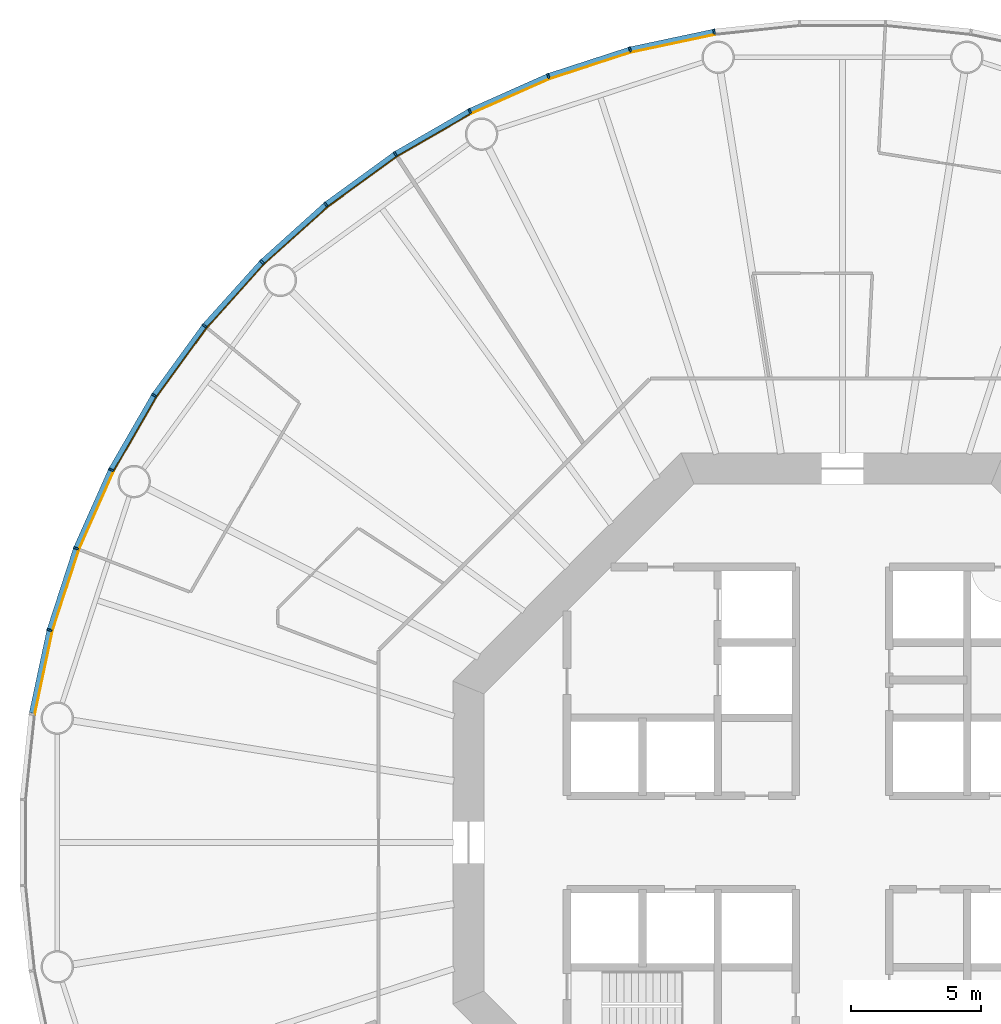
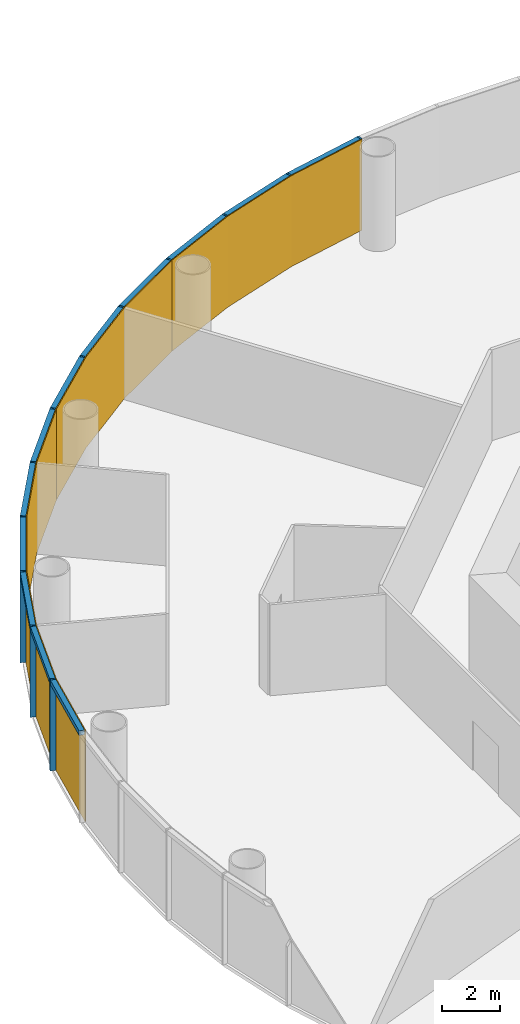
# One storey, part 10 of 13: 24 members, 4 curtain walls.
"""IFC4 building model written with IfcOpenShell, lengths in metres."""

from ifc_helpers import new_model, si_unit, direction, frame, origin, origin_2d, place, context, subcontext, project, spatial, polyline, rectangle, outline, extrude, material, layer, layer_set, material_profile, profile_set, type_object, element, aggregate, save


model = new_model("IFC4")

# Units and contexts
model_context = context("Model", 3, precision=1e-05, world=origin(), true_north=direction((0.0, 1.0)))
body_context = subcontext(model_context, "Body", "Model", "MODEL_VIEW")
ifc_project = project(units=[si_unit("LENGTHUNIT", "METRE"), si_unit("AREAUNIT", "SQUARE_METRE"), si_unit("VOLUMEUNIT", "CUBIC_METRE"), si_unit("PLANEANGLEUNIT", "RADIAN"), si_unit("MASSUNIT", "GRAM", prefix="KILO")], contexts=[model_context])

# Member
ifc_material_1 = material(Name="Anodised aluminium", Category="aluminium")
ifc_material_profile_1 = material_profile(ifc_material_1, rectangle(XDim=0.070068359375, YDim=0.199951171875, at=origin_2d()), Name="Mullion 70 x 200 mm anodised aluminium")
ifc_profile_set_1 = profile_set([ifc_material_profile_1], Name="Anodised aluminium")
member_type_1 = type_object("IfcMemberType", Name="Mullion 70 x 200 mm anodised aluminium", PredefinedType="MULLION", material=ifc_profile_set_1)
site_placement = place(None, origin())
building_placement = place(site_placement, origin())
storey_placement = place(building_placement, frame((0.0, 0.0, 120.0)))
member_1_placement = place(storey_placement, frame((85.056640625, 111.2109375, 0.0), z_axis=(0.0, 0.0, 1.0), x_axis=(-0.987688340595, -0.15643446504, 0.0)))
member_1 = element("IfcMember", 1, at=member_1_placement, type_object=member_type_1, Name="MULLION L27-15", PredefinedType="MULLION", context=body_context, shape_type="SweptSolid", body=[
    extrude(rectangle(XDim=0.070068359375, YDim=0.199951171875, at=origin_2d()), origin(), (0.0, 0.0, 1.0), 3.85009765625),
])

member_2_placement = place(storey_placement, frame((81.8212890625, 110.523193359375, 0.0), z_axis=(0.0, 0.0, 1.0), x_axis=(-0.965925826289, -0.258819045103, 0.0)))
member_2 = element("IfcMember", 2, at=member_2_placement, type_object=member_type_1, Name="MULLION L27-16", PredefinedType="MULLION", context=body_context, shape_type="SweptSolid", body=[
    extrude(rectangle(XDim=0.070068359375, YDim=0.199951171875, at=origin_2d()), origin(), (0.0, 0.0, 1.0), 3.85009765625),
])

member_3_placement = place(storey_placement, frame((78.675537109375, 109.501220703125, 0.0), z_axis=(0.0, 0.0, 1.0), x_axis=(-0.933580426497, -0.358367949545, 0.0)))
member_3 = element("IfcMember", 3, at=member_3_placement, type_object=member_type_1, Name="MULLION L27-17", PredefinedType="MULLION", context=body_context, shape_type="SweptSolid", body=[
    extrude(rectangle(XDim=0.070068359375, YDim=0.199951171875, at=origin_2d()), origin(), (0.0, 0.0, 1.0), 3.85009765625),
])

member_4_placement = place(storey_placement, frame((75.65380859375, 108.15576171875, 0.0), z_axis=(0.0, 0.0, 1.0), x_axis=(-0.891006524188, -0.45399049974, 0.0)))
member_4 = element("IfcMember", 4, at=member_4_placement, type_object=member_type_1, Name="MULLION L27-18", PredefinedType="MULLION", context=body_context, shape_type="SweptSolid", body=[
    extrude(rectangle(XDim=0.070068359375, YDim=0.199951171875, at=origin_2d()), origin(), (0.0, 0.0, 1.0), 3.85009765625),
])

member_5_placement = place(storey_placement, frame((72.789306640625, 106.501953125, 0.0), z_axis=(0.0, 0.0, 1.0), x_axis=(-0.838670567945, -0.544639035015, 0.0)))
member_5 = element("IfcMember", 5, at=member_5_placement, type_object=member_type_1, Name="MULLION L27-19", PredefinedType="MULLION", context=body_context, shape_type="SweptSolid", body=[
    extrude(rectangle(XDim=0.070068359375, YDim=0.199951171875, at=origin_2d()), origin(), (0.0, 0.0, 1.0), 3.85009765625),
])

member_6_placement = place(storey_placement, frame((70.113525390625, 104.557861328125, 0.0), z_axis=(0.0, 0.0, 1.0), x_axis=(-0.777145961457, -0.62932039105, 0.0)))
member_6 = element("IfcMember", 6, at=member_6_placement, type_object=member_type_1, Name="MULLION L27-20", PredefinedType="MULLION", context=body_context, shape_type="SweptSolid", body=[
    extrude(rectangle(XDim=0.070068359375, YDim=0.199951171875, at=origin_2d()), origin(), (0.0, 0.0, 1.0), 3.85009765625),
])

member_7_placement = place(storey_placement, frame((67.655517578125, 102.344482421875, 0.0), z_axis=(0.0, 0.0, 1.0), x_axis=(-0.707106781187, -0.707106781187, 0.0)))
member_7 = element("IfcMember", 7, at=member_7_placement, type_object=member_type_1, Name="MULLION L27-21", PredefinedType="MULLION", context=body_context, shape_type="SweptSolid", body=[
    extrude(rectangle(XDim=0.070068359375, YDim=0.199951171875, at=origin_2d()), origin(), (0.0, 0.0, 1.0), 3.85009765625),
])

member_8_placement = place(storey_placement, frame((65.442138671875, 99.886474609375, 0.0), z_axis=(0.0, 0.0, 1.0), x_axis=(-0.62932039105, -0.777145961457, 0.0)))
member_8 = element("IfcMember", 8, at=member_8_placement, type_object=member_type_1, Name="MULLION L27-22", PredefinedType="MULLION", context=body_context, shape_type="SweptSolid", body=[
    extrude(rectangle(XDim=0.070068359375, YDim=0.199951171875, at=origin_2d()), origin(), (0.0, 0.0, 1.0), 3.85009765625),
])

member_9_placement = place(storey_placement, frame((63.498046875, 97.210693359375, 0.0), z_axis=(0.0, 0.0, 1.0), x_axis=(-0.544639035015, -0.838670567945, 0.0)))
member_9 = element("IfcMember", 9, at=member_9_placement, type_object=member_type_1, Name="MULLION L27-23", PredefinedType="MULLION", context=body_context, shape_type="SweptSolid", body=[
    extrude(rectangle(XDim=0.070068359375, YDim=0.199951171875, at=origin_2d()), origin(), (0.0, 0.0, 1.0), 3.85009765625),
])

member_10_placement = place(storey_placement, frame((61.84423828125, 94.34619140625, 0.0), z_axis=(0.0, 0.0, 1.0), x_axis=(-0.45399049974, -0.891006524188, 0.0)))
member_10 = element("IfcMember", 10, at=member_10_placement, type_object=member_type_1, Name="MULLION L27-24", PredefinedType="MULLION", context=body_context, shape_type="SweptSolid", body=[
    extrude(rectangle(XDim=0.070068359375, YDim=0.199951171875, at=origin_2d()), origin(), (0.0, 0.0, 1.0), 3.85009765625),
])

member_11_placement = place(storey_placement, frame((60.498779296875, 91.324462890625, 0.0), z_axis=(0.0, 0.0, 1.0), x_axis=(-0.358367949545, -0.933580426497, 0.0)))
member_11 = element("IfcMember", 11, at=member_11_placement, type_object=member_type_1, Name="MULLION L27-25", PredefinedType="MULLION", context=body_context, shape_type="SweptSolid", body=[
    extrude(rectangle(XDim=0.070068359375, YDim=0.199951171875, at=origin_2d()), origin(), (0.0, 0.0, 1.0), 3.85009765625),
])

member_12_placement = place(storey_placement, frame((59.476806640625, 88.1787109375, 0.0), z_axis=(0.0, 0.0, 1.0), x_axis=(-0.258819045103, -0.965925826289, 0.0)))
member_12 = element("IfcMember", 12, at=member_12_placement, type_object=member_type_1, Name="MULLION L27-26", PredefinedType="MULLION", context=body_context, shape_type="SweptSolid", body=[
    extrude(rectangle(XDim=0.070068359375, YDim=0.199951171875, at=origin_2d()), origin(), (0.0, 0.0, 1.0), 3.85009765625),
])

ifc_material_2 = material(Name="Anodised aluminium", Category="aluminium")
ifc_material_profile_2 = material_profile(ifc_material_2, rectangle(XDim=0.199951171875, YDim=0.18994140625, at=origin_2d()), Name="Transom 190 x 200 mm anodised aluminium")
ifc_profile_set_2 = profile_set([ifc_material_profile_2], Name="Anodised aluminium")
member_type_2 = type_object("IfcMemberType", Name="Transom 190 x 200 mm anodised aluminium", PredefinedType="USERDEFINED", material=ifc_profile_set_2)
member_13_placement = place(storey_placement, frame((85.017333984375, 111.20263671875, 3.7548828125), z_axis=(-0.978153082647, -0.207885898771, 0.0), x_axis=(0.207885898771, -0.978153082647, 0.0)))
member_13 = element("IfcMember", 13, at=member_13_placement, type_object=member_type_2, Name="TRANSOM L27-15", ObjectType="TRANSOM", PredefinedType="USERDEFINED", context=body_context, shape_type="SweptSolid", body=[
    extrude(rectangle(XDim=0.199951171875, YDim=0.18994140625, at=origin_2d()), origin(), (0.0, 0.0, 1.0), 3.227294921875),
])

member_14_placement = place(storey_placement, frame((81.782958984375, 110.510986328125, 3.7548828125), z_axis=(-0.951046855117, -0.309046726844, 0.0), x_axis=(0.309046726844, -0.951046855117, 0.0)))
member_14 = element("IfcMember", 14, at=member_14_placement, type_object=member_type_2, Name="TRANSOM L27-16", ObjectType="TRANSOM", PredefinedType="USERDEFINED", context=body_context, shape_type="SweptSolid", body=[
    extrude(rectangle(XDim=0.199951171875, YDim=0.18994140625, at=origin_2d()), origin(), (0.0, 0.0, 1.0), 3.22705078125),
])

member_15_placement = place(storey_placement, frame((78.638671875, 109.48486328125, 3.7548828125), z_axis=(-0.913549291349, -0.406728032322, 0.0), x_axis=(0.406728032322, -0.913549291349, 0.0)))
member_15 = element("IfcMember", 15, at=member_15_placement, type_object=member_type_2, Name="TRANSOM L27-17", ObjectType="TRANSOM", PredefinedType="USERDEFINED", context=body_context, shape_type="SweptSolid", body=[
    extrude(rectangle(XDim=0.199951171875, YDim=0.18994140625, at=origin_2d()), origin(), (0.0, 0.0, 1.0), 3.22705078125),
])

member_16_placement = place(storey_placement, frame((75.618896484375, 108.1357421875, 3.7548828125), z_axis=(-0.866023062494, -0.500004055213, 0.0), x_axis=(0.500004055213, -0.866023062494, 0.0)))
member_16 = element("IfcMember", 16, at=member_16_placement, type_object=member_type_2, Name="TRANSOM L27-18", ObjectType="TRANSOM", PredefinedType="USERDEFINED", context=body_context, shape_type="SweptSolid", body=[
    extrude(rectangle(XDim=0.199951171875, YDim=0.18994140625, at=origin_2d()), origin(), (0.0, 0.0, 1.0), 3.22705078125),
])

member_17_placement = place(storey_placement, frame((72.7568359375, 106.478515625, 3.7548828125), z_axis=(-0.809004252048, -0.587802790201, 0.0), x_axis=(0.587802790201, -0.809004252048, 0.0)))
member_17 = element("IfcMember", 17, at=member_17_placement, type_object=member_type_2, Name="TRANSOM L27-19", ObjectType="TRANSOM", PredefinedType="USERDEFINED", context=body_context, shape_type="SweptSolid", body=[
    extrude(rectangle(XDim=0.199951171875, YDim=0.18994140625, at=origin_2d()), origin(), (0.0, 0.0, 1.0), 3.227294921875),
])

member_18_placement = place(storey_placement, frame((70.08349609375, 104.531005859375, 3.7548828125), z_axis=(-0.743132370743, -0.669144438484, 0.0), x_axis=(0.669144438484, -0.743132370743, 0.0)))
member_18 = element("IfcMember", 18, at=member_18_placement, type_object=member_type_2, Name="TRANSOM L27-20", ObjectType="TRANSOM", PredefinedType="USERDEFINED", context=body_context, shape_type="SweptSolid", body=[
    extrude(rectangle(XDim=0.199951171875, YDim=0.18994140625, at=origin_2d()), origin(), (0.0, 0.0, 1.0), 3.22705078125),
])

member_19_placement = place(storey_placement, frame((67.62841796875, 102.314697265625, 3.7548828125), z_axis=(-0.669144438484, -0.743132370743, 0.0), x_axis=(0.743132370743, -0.669144438484, 0.0)))
member_19 = element("IfcMember", 19, at=member_19_placement, type_object=member_type_2, Name="TRANSOM L27-21", ObjectType="TRANSOM", PredefinedType="USERDEFINED", context=body_context, shape_type="SweptSolid", body=[
    extrude(rectangle(XDim=0.199951171875, YDim=0.18994140625, at=origin_2d()), origin(), (0.0, 0.0, 1.0), 3.22705078125),
])

member_20_placement = place(storey_placement, frame((65.41845703125, 99.85400390625, 3.7548828125), z_axis=(-0.587802790201, -0.809004252048, 0.0), x_axis=(0.809004252048, -0.587802790201, 0.0)))
member_20 = element("IfcMember", 20, at=member_20_placement, type_object=member_type_2, Name="TRANSOM L27-22", ObjectType="TRANSOM", PredefinedType="USERDEFINED", context=body_context, shape_type="SweptSolid", body=[
    extrude(rectangle(XDim=0.199951171875, YDim=0.18994140625, at=origin_2d()), origin(), (0.0, 0.0, 1.0), 3.227294921875),
])

member_21_placement = place(storey_placement, frame((63.477783203125, 97.17578125, 3.7548828125), z_axis=(-0.500004055213, -0.866023062494, 0.0), x_axis=(0.866023062494, -0.500004055213, 0.0)))
member_21 = element("IfcMember", 21, at=member_21_placement, type_object=member_type_2, Name="TRANSOM L27-23", ObjectType="TRANSOM", PredefinedType="USERDEFINED", context=body_context, shape_type="SweptSolid", body=[
    extrude(rectangle(XDim=0.199951171875, YDim=0.18994140625, at=origin_2d()), origin(), (0.0, 0.0, 1.0), 3.22705078125),
])

member_22_placement = place(storey_placement, frame((61.82763671875, 94.309326171875, 3.7548828125), z_axis=(-0.406728032322, -0.913549291349, 0.0), x_axis=(0.913549291349, -0.406728032322, 0.0)))
member_22 = element("IfcMember", 22, at=member_22_placement, type_object=member_type_2, Name="TRANSOM L27-24", ObjectType="TRANSOM", PredefinedType="USERDEFINED", context=body_context, shape_type="SweptSolid", body=[
    extrude(rectangle(XDim=0.199951171875, YDim=0.18994140625, at=origin_2d()), origin(), (0.0, 0.0, 1.0), 3.22705078125),
])

member_23_placement = place(storey_placement, frame((60.486328125, 91.2861328125, 3.7548828125), z_axis=(-0.309046726844, -0.951046855117, 0.0), x_axis=(0.951046855117, -0.309046726844, 0.0)))
member_23 = element("IfcMember", 23, at=member_23_placement, type_object=member_type_2, Name="TRANSOM L27-25", ObjectType="TRANSOM", PredefinedType="USERDEFINED", context=body_context, shape_type="SweptSolid", body=[
    extrude(rectangle(XDim=0.199951171875, YDim=0.18994140625, at=origin_2d()), origin(), (0.0, 0.0, 1.0), 3.22705078125),
])

member_24_placement = place(storey_placement, frame((59.46826171875, 88.139404296875, 3.7548828125), z_axis=(-0.207885898771, -0.978153082647, 0.0), x_axis=(0.978153082647, -0.207885898771, 0.0)))
member_24 = element("IfcMember", 24, at=member_24_placement, type_object=member_type_2, Name="TRANSOM L27-26", ObjectType="TRANSOM", PredefinedType="USERDEFINED", context=body_context, shape_type="SweptSolid", body=[
    extrude(rectangle(XDim=0.199951171875, YDim=0.18994140625, at=origin_2d()), origin(), (0.0, 0.0, 1.0), 3.227294921875),
])

# Site, building, storey
site = spatial("IfcSite", under=ifc_project, at=site_placement, CompositionType="ELEMENT")
building = spatial("IfcBuilding", under=site, at=building_placement, Name="Entoto Ring Tower", CompositionType="ELEMENT")
storey = spatial("IfcBuildingStorey", under=building, at=storey_placement, Name="L27", CompositionType="ELEMENT", Elevation=120.0)

# Curtain wall
ifc_material_3 = material(Name="Clear low-iron glass", Category="glass")
ifc_layer = layer(ifc_material_3, 0.035888671875)
ifc_layer_set = layer_set([ifc_layer], Name="Clear low-iron glass")
curtain_wall_type = type_object("IfcCurtainWallType", Name="Curtain wall system CW2 glazing 36 mm", PredefinedType="NOTDEFINED", material=ifc_layer_set)
curtain_wall_1_placement = place(storey_placement, origin())
curtain_wall_1 = element("IfcCurtainWall", 25, at=curtain_wall_1_placement, inside=storey, type_object=curtain_wall_type, Name="CW2 L27-06", PredefinedType="NOTDEFINED", context=body_context, shape_type="SweptSolid", body=[
    extrude(outline(polyline([(85.072265625, 111.1123046875), (81.84716796875, 110.4267578125), (78.71142578125, 109.40771484375), (75.69921875, 108.066650390625), (75.715576171875, 108.03466796875), (78.724365234375, 109.3740234375), (81.8564453125, 110.391845703125), (85.077880859375, 111.07666015625), (85.072265625, 111.1123046875)])), origin(), (0.0, 0.0, 1.0), 3.85009765625),
])

aggregate(curtain_wall_1, [member_1, member_2, member_3, member_13, member_14, member_15])

curtain_wall_2_placement = place(storey_placement, origin())
curtain_wall_2 = element("IfcCurtainWall", 26, at=curtain_wall_2_placement, inside=storey, type_object=curtain_wall_type, Name="CW2 L27-07", PredefinedType="NOTDEFINED", context=body_context, shape_type="SweptSolid", body=[
    extrude(outline(polyline([(75.69921875, 108.066650390625), (72.84375, 106.418212890625), (70.176513671875, 104.47998046875), (67.72607421875, 102.27392578125), (67.751708984375, 102.248291015625), (70.198974609375, 104.4521484375), (72.863525390625, 106.387939453125), (75.715576171875, 108.03466796875), (75.69921875, 108.066650390625)])), origin(), (0.0, 0.0, 1.0), 3.85009765625),
])

aggregate(curtain_wall_2, [member_4, member_5, member_6, member_16, member_17, member_18])

curtain_wall_3_placement = place(storey_placement, origin())
curtain_wall_3 = element("IfcCurtainWall", 27, at=curtain_wall_3_placement, inside=storey, type_object=curtain_wall_type, Name="CW2 L27-08", PredefinedType="NOTDEFINED", context=body_context, shape_type="SweptSolid", body=[
    extrude(outline(polyline([(67.72607421875, 102.27392578125), (65.52001953125, 99.823486328125), (63.581787109375, 97.15625), (61.933349609375, 94.30078125), (61.96533203125, 94.284423828125), (63.612060546875, 97.136474609375), (65.5478515625, 99.801025390625), (67.751708984375, 102.248291015625), (67.72607421875, 102.27392578125)])), origin(), (0.0, 0.0, 1.0), 3.85009765625),
])

aggregate(curtain_wall_3, [member_7, member_8, member_9, member_19, member_20, member_21])

curtain_wall_4_placement = place(storey_placement, origin())
curtain_wall_4 = element("IfcCurtainWall", 28, at=curtain_wall_4_placement, inside=storey, type_object=curtain_wall_type, Name="CW2 L27-09", PredefinedType="NOTDEFINED", context=body_context, shape_type="SweptSolid", body=[
    extrude(outline(polyline([(61.933349609375, 94.30078125), (60.59228515625, 91.28857421875), (59.5732421875, 88.15283203125), (58.8876953125, 84.927734375), (58.92333984375, 84.922119140625), (59.608154296875, 88.1435546875), (60.6259765625, 91.275634765625), (61.96533203125, 94.284423828125), (61.933349609375, 94.30078125)])), origin(), (0.0, 0.0, 1.0), 3.85009765625),
])

aggregate(curtain_wall_4, [member_10, member_11, member_12, member_22, member_23, member_24])

save(model, "model.ifc")
